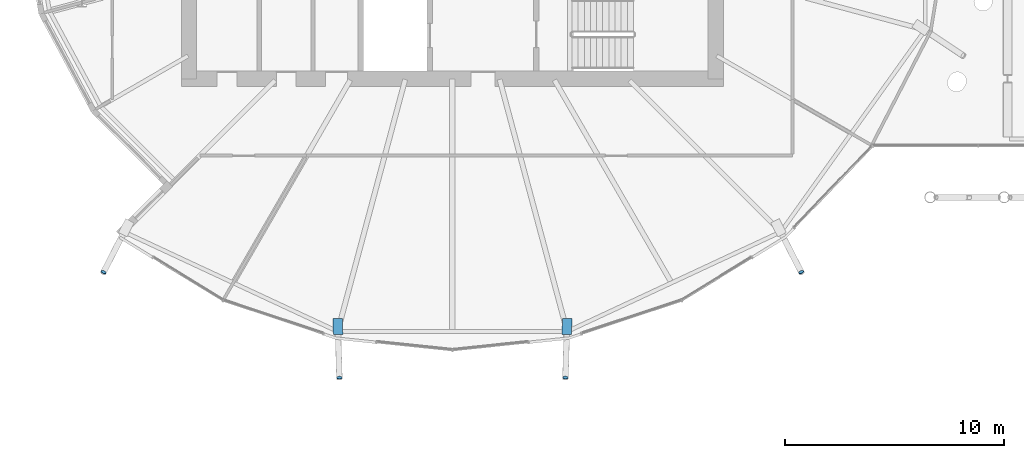
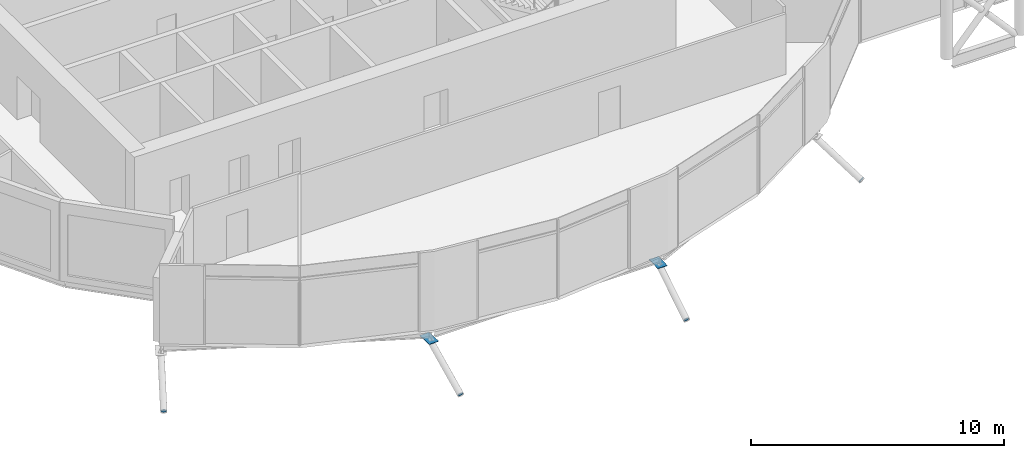
# One storey, part 31 of 40: 6 discrete accessories.
"""IFC4 building model written with IfcOpenShell, lengths in metres."""

from ifc_helpers import new_model, si_unit, direction, frame, origin, origin_2d, place, context, subcontext, project, spatial, polyline, rectangle, circle, outline, extrude, material, material_profile, profile_set, type_object, element, save


model = new_model("IFC4")

# Units and contexts
model_context = context("Model", 3, precision=1e-05, world=origin(), true_north=direction((0.0, 1.0)))
body_context = subcontext(model_context, "Body", "Model", "MODEL_VIEW")
ifc_project = project(units=[si_unit("LENGTHUNIT", "METRE"), si_unit("AREAUNIT", "SQUARE_METRE"), si_unit("VOLUMEUNIT", "CUBIC_METRE"), si_unit("PLANEANGLEUNIT", "RADIAN"), si_unit("MASSUNIT", "GRAM", prefix="KILO")], contexts=[model_context])

# Site, building, storey
site_placement = place(None, origin())
site = spatial("IfcSite", under=ifc_project, at=site_placement, CompositionType="ELEMENT")
building_placement = place(site_placement, origin())
building = spatial("IfcBuilding", under=site, at=building_placement, Name="Rimbun Link Towers", CompositionType="ELEMENT")
storey_placement = place(building_placement, frame((0.0, 0.0, 150.60009765625)))
storey = spatial("IfcBuildingStorey", under=building, at=storey_placement, Name="L36", CompositionType="ELEMENT", Elevation=150.60009765625)

# Discrete accessories
ifc_material_1 = material(Name="Steel S355J2H", Category="steel")
ifc_material_profile_1 = material_profile(ifc_material_1, circle(Radius=0.1240234375, at=origin_2d()), Name="PL D248")
ifc_profile_set_1 = profile_set([ifc_material_profile_1], Name="Steel S355J2H")
discrete_accessory_type_1 = type_object("IfcDiscreteAccessoryType", Name="Link foot sealing plate D248X20", PredefinedType="BRACKET", material=ifc_profile_set_1)
for number, where, z_axis, x_axis, name in (
    (1, (-47.641845703125, -16.803466796875, -2.034912109375), (-0.391702981418, -0.771165244667, -0.501869444942), (0.891578868093, -0.452865456809, 0.0), "Link foot sealing plate T1 L36 15"),
    (2, (-36.89990234375, -21.61181640625, -2.08154296875), (0.024274991071, -0.873899678569, -0.485499821427), (0.999614420653, 0.02776706724, 0.0), "Link foot sealing plate T1 L36 17"),
    (3, (-26.60009765625, -21.61181640625, -2.08154296875), (-0.024274991071, -0.873899678569, -0.485499821427), (0.999614420653, -0.02776706724, 0.0), "Link foot sealing plate T1 L36 19"),
    (4, (-15.858154296875, -16.803466796875, -2.034912109375), (0.391702981418, -0.771165244667, -0.501869444942), (0.891578868093, 0.452865456809, 0.0), "Link foot sealing plate T1 L36 21"),
):
    element("IfcDiscreteAccessory", number, at=place(storey_placement, frame(where, z_axis=z_axis, x_axis=x_axis)), inside=storey, type_object=discrete_accessory_type_1, Name=name, PredefinedType="BRACKET", context=body_context, shape_type="SweptSolid", body=[
        extrude(circle(Radius=0.1240234375, at=origin_2d()), origin(), (0.0, 0.0, 1.0), 0.02001953125),
    ])
ifc_material_2 = material(Name="Steel S355J2H", Category="steel")
ifc_material_profile_2 = material_profile(ifc_material_2, rectangle(XDim=0.43310546875, YDim=0.43310546875, at=origin_2d()), Name="PL 433x433")
ifc_profile_set_2 = profile_set([ifc_material_profile_2], Name="Steel S355J2H")
discrete_accessory_type_2 = type_object("IfcDiscreteAccessoryType", Name="Link head end plate 433X20", PredefinedType="BRACKET", material=ifc_profile_set_2)
discrete_accessory_1_placement = place(storey_placement, frame((0.0, 0.0, -0.802734375)))
element("IfcDiscreteAccessory", 5, at=discrete_accessory_1_placement, inside=storey, type_object=discrete_accessory_type_2, Name="Link head end plate T1 L36 17", PredefinedType="BRACKET", context=body_context, shape_type="SweptSolid", body=[
    extrude(outline(polyline([(-37.19873046875, -18.927978515625), (-37.176513671875, -19.654541015625), (-36.74365234375, -19.641357421875), (-36.765869140625, -18.914794921875), (-37.19873046875, -18.927978515625)])), origin(), (0.0, 0.0, 1.0), 0.02001953125),
])
discrete_accessory_2_placement = place(storey_placement, frame((0.0, 0.0, -0.802734375)))
element("IfcDiscreteAccessory", 6, at=discrete_accessory_2_placement, inside=storey, type_object=discrete_accessory_type_2, Name="Link head end plate T1 L36 19", PredefinedType="BRACKET", context=body_context, shape_type="SweptSolid", body=[
    extrude(outline(polyline([(-26.734130859375, -18.914794921875), (-26.75634765625, -19.641357421875), (-26.323486328125, -19.654541015625), (-26.30126953125, -18.927978515625), (-26.734130859375, -18.914794921875)])), origin(), (0.0, 0.0, 1.0), 0.02001953125),
])

save(model, "model.ifc")
